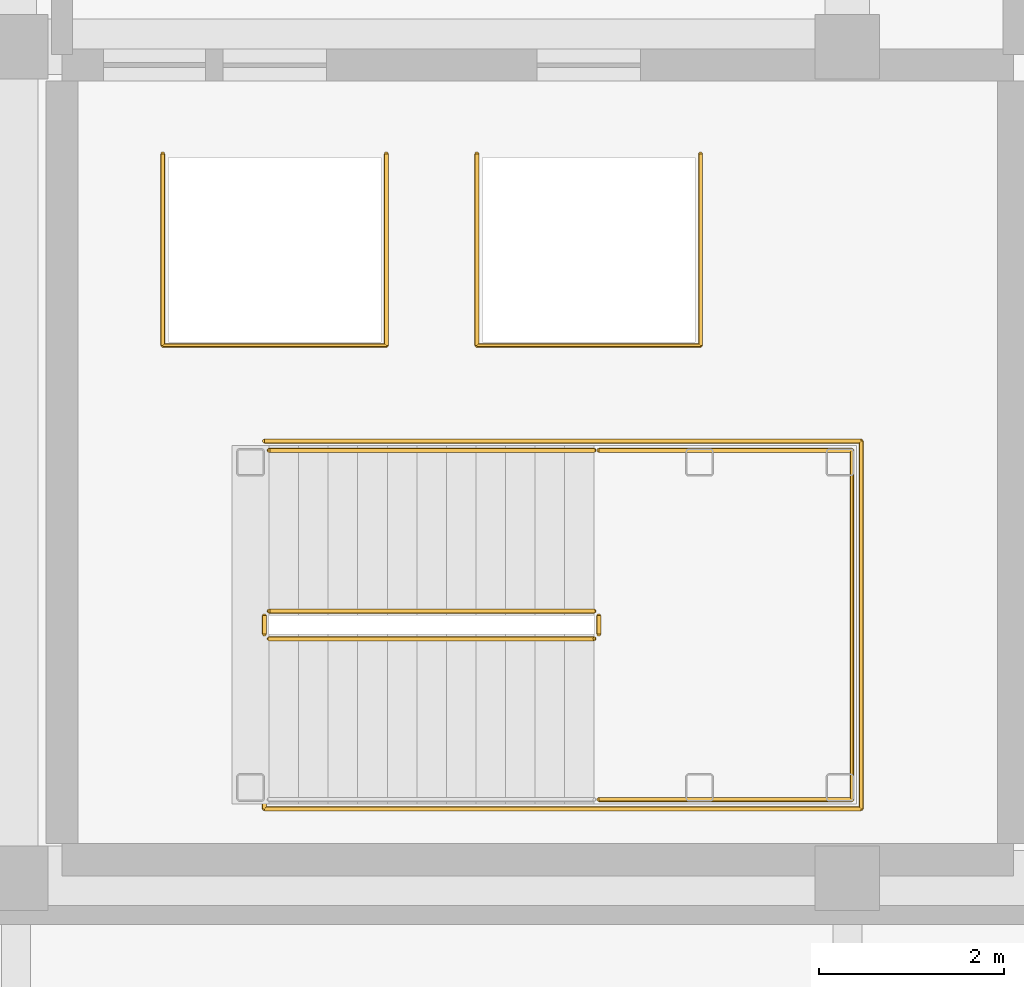
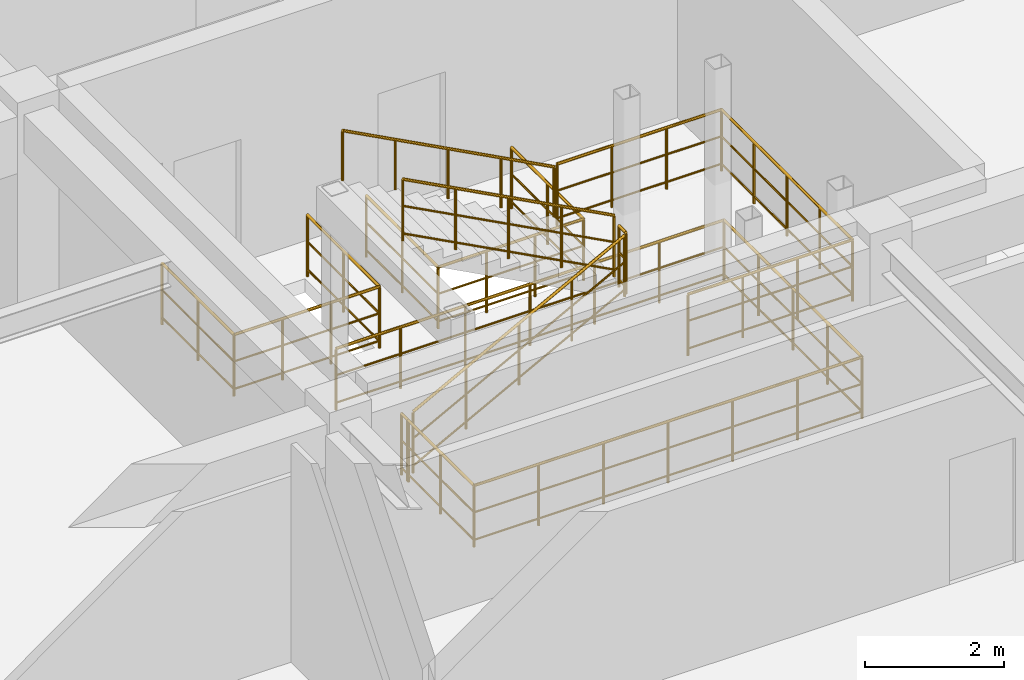
# One storey, part 104 of 110: 9 railings.
"""IFC4 building model written with IfcOpenShell, lengths in metres."""

import ifcopenshell
import ifcopenshell.guid

model = None  # the IFC model being written
_history = None  # IfcOwnerHistory: only IFC2X3 demands one
_inside = {}  # id of a spatial element -> (the spatial element, [elements in it])
_under = {}  # id of a project, library or spatial element -> (it, [spatial elements below it])
_declared = {}  # id of a project -> (the project, [libraries it declares])
_typed = {}  # id of a type object -> (the type object, [elements of that type])
_made_of = {}  # id of a material, layer set ... -> (it, [elements and type objects made of it])


def new_model(schema):
    """Start an empty IFC model of exactly this schema.

    Asked for "IFC4X3", IfcOpenShell would pick the latest addendum, in which some entities
    have other attributes; the version numbers below select the first issue.
    IFC2X3 requires an IfcOwnerHistory on every rooted entity: one is made here for all.
    """
    global model, _history
    if schema == "IFC4X3":
        model = ifcopenshell.file(schema_version=(4, 3, 0, 0))
    else:
        model = ifcopenshell.file(schema=schema)
    _inside.clear()
    _under.clear()
    _declared.clear()
    _typed.clear()
    _made_of.clear()
    _history = None
    if model.schema == "IFC2X3":
        org = make("IfcOrganization", Name="unknown")
        user = make(
            "IfcPersonAndOrganization",
            ThePerson=make("IfcPerson", FamilyName="unknown"),
            TheOrganization=org,
        )
        app = make(
            "IfcApplication",
            ApplicationDeveloper=org,
            Version="unknown",
            ApplicationFullName="unknown",
            ApplicationIdentifier="unknown",
        )
        _history = make(
            "IfcOwnerHistory",
            OwningUser=user,
            OwningApplication=app,
            ChangeAction="ADDED",
            CreationDate=0,
        )
    return model


def make(cls, **values):
    """One entity of the class cls with the attributes given. An attribute that is None is left unset."""
    return model.create_entity(
        cls, **{name: value for name, value in values.items() if value is not None}
    )


def rooted(cls, **values):
    """An entity with a GlobalId (a new one), such as an element, a storey or a relation."""
    return make(cls, GlobalId=ifcopenshell.guid.new(), OwnerHistory=_history, **values)


def si_unit(unit_type, name, prefix=None):
    """IfcSIUnit, for example si_unit("LENGTHUNIT", "METRE", prefix="MILLI")."""
    return make("IfcSIUnit", UnitType=unit_type, Prefix=prefix, Name=name)


def assignment(units):
    """IfcUnitAssignment: the units of a project."""
    return None if units is None else make("IfcUnitAssignment", Units=units)


def point(xyz):
    """IfcCartesianPoint."""
    return None if xyz is None else make("IfcCartesianPoint", Coordinates=xyz)


def direction(xyz):
    """IfcDirection."""
    return None if xyz is None else make("IfcDirection", DirectionRatios=xyz)


def frame(location, z_axis=None, x_axis=None):
    """IfcAxis2Placement3D, a coordinate frame: its origin and axes. An axis left out is left unset."""
    return make(
        "IfcAxis2Placement3D",
        Location=point(location),
        Axis=direction(z_axis),
        RefDirection=direction(x_axis),
    )


def frame_2d(location, x_axis=None):
    """IfcAxis2Placement2D, a coordinate frame in the plane: its origin and x axis."""
    return make(
        "IfcAxis2Placement2D", Location=point(location), RefDirection=direction(x_axis)
    )


def origin():
    """The frame at (0, 0, 0) with its axes left unset."""
    return frame((0.0, 0.0, 0.0))


def origin_2d():
    """The frame at (0, 0) in the plane with its x axis left unset."""
    return frame_2d((0.0, 0.0))


def place(relative_to, where):
    """IfcLocalPlacement: puts the frame where relative to a parent placement (None: the world)."""
    return make(
        "IfcLocalPlacement", PlacementRelTo=relative_to, RelativePlacement=where
    )


def context(
    kind, dimensions, precision=None, world=None, true_north=None, identifier=None
):
    """IfcGeometricRepresentationContext, for example the 3D "Model" context."""
    return make(
        "IfcGeometricRepresentationContext",
        ContextIdentifier=identifier,
        ContextType=kind,
        CoordinateSpaceDimension=dimensions,
        Precision=precision,
        WorldCoordinateSystem=world,
        TrueNorth=true_north,
    )


def subcontext(parent, identifier, kind, view, scale=None):
    """IfcGeometricRepresentationSubContext, for example "Body" below "Model"."""
    return make(
        "IfcGeometricRepresentationSubContext",
        ContextIdentifier=identifier,
        ContextType=kind,
        ParentContext=parent,
        TargetScale=scale,
        TargetView=view,
    )


def project(units=None, contexts=None):
    """IfcProject with its units and contexts."""
    return rooted(
        "IfcProject",
        Name="project",
        RepresentationContexts=contexts,
        UnitsInContext=assignment(units),
    )


def spatial(cls, under=None, at=None, **own):
    """A site, building, storey or space (cls), placed at a placement, below another one or the project."""
    s = rooted(cls, ObjectPlacement=at, **own)
    if under is not None:
        _under.setdefault(under.id(), (under, []))[1].append(s)
    return s


def profile(cls, at=None, kind="AREA", **sizes):
    """A parametric profile (cls). Its sizes go by their IFC names, for example OverallWidth=200.0."""
    return make(cls, ProfileType=kind, Position=at, **sizes)


def circle(**sizes):
    """IfcCircleProfileDef."""
    return profile("IfcCircleProfileDef", **sizes)


def extrude(swept, where, along, depth):
    """IfcExtrudedAreaSolid: the profile swept, set in the frame where, extruded along a direction by depth."""
    return make(
        "IfcExtrudedAreaSolid",
        SweptArea=swept,
        Position=where,
        ExtrudedDirection=direction(along),
        Depth=depth,
    )


def shape(context_of_items, identifier, shape_type, items):
    """IfcShapeRepresentation: the items that make up one representation, for example the "Body"."""
    return make(
        "IfcShapeRepresentation",
        ContextOfItems=context_of_items,
        RepresentationIdentifier=identifier,
        RepresentationType=shape_type,
        Items=items,
    )


def material(Name=None, Category=None):
    """IfcMaterial."""
    return make("IfcMaterial", Name=Name, Category=Category)


def made_of(thing, what):
    """Note that an element or type object is made of a material, layer set ...; save() writes the relation."""
    if what is not None:
        _made_of.setdefault(what.id(), (what, []))[1].append(thing)
    return thing


def type_object(cls, material=None, **own):
    """A type object (cls), such as IfcWallType, which elements share."""
    return made_of(rooted(cls, **own), material)


def element(
    cls,
    number,
    at=None,
    inside=None,
    cuts=None,
    type_object=None,
    material=None,
    context=None,
    identifier="Body",
    shape_type=None,
    held_by="IfcProductDefinitionShape",
    body=None,
    shapes=None,
    **own,
):
    """One element of the class cls, such as IfcWall. Its Tag is "e" and its number.

    at: its placement. inside: the storey or other place that contains it. cuts: it is an
    opening in that element (IfcRelVoidsElement). A single representation is given by context,
    identifier, shape_type and body (its items); several are given by shapes. held_by: the class
    of the entity that holds the representations. save() writes the other relations.
    """
    e = rooted(cls, Tag="e%d" % number, ObjectPlacement=at, **own)
    if body is not None:
        shapes = [shape(context, identifier, shape_type, body)]
    if shapes is not None:
        e.Representation = make(held_by, Representations=shapes)
    if inside is not None:
        _inside.setdefault(inside.id(), (inside, []))[1].append(e)
    if cuts is not None:
        rooted(
            "IfcRelVoidsElement", RelatingBuildingElement=cuts, RelatedOpeningElement=e
        )
    if type_object is not None:
        _typed.setdefault(type_object.id(), (type_object, []))[1].append(e)
    return made_of(e, material)


def aggregate(whole, parts):
    """IfcRelAggregates: a whole, such as a stair, and the parts it consists of."""
    return rooted("IfcRelAggregates", RelatingObject=whole, RelatedObjects=parts)


def save(model, path):
    """Write the relations noted so far, then the file.

    IfcRelAggregates (storeys below a building ...), IfcRelContainedInSpatialStructure (elements
    in a storey), IfcRelDefinesByType, IfcRelAssociatesMaterial and IfcRelDeclares: one each for
    every whole, place, type object, material and project.
    """
    for whole, parts in _under.values():
        aggregate(whole, parts)
    for where, things in _inside.values():
        rooted(
            "IfcRelContainedInSpatialStructure",
            RelatedElements=things,
            RelatingStructure=where,
        )
    for kind, things in _typed.values():
        rooted("IfcRelDefinesByType", RelatedObjects=things, RelatingType=kind)
    for what, things in _made_of.values():
        rooted("IfcRelAssociatesMaterial", RelatedObjects=things, RelatingMaterial=what)
    for by, libraries in _declared.values():
        rooted("IfcRelDeclares", RelatingContext=by, RelatedDefinitions=libraries)
    model.write(path)


model = new_model("IFC4")

# Units and contexts
model_context = context("Model", 3, precision=1e-05, world=origin(), true_north=direction((0.0, 1.0)))
body_context = subcontext(model_context, "Body", "Model", "MODEL_VIEW")
ifc_project = project(units=[si_unit("LENGTHUNIT", "METRE"), si_unit("AREAUNIT", "SQUARE_METRE"), si_unit("VOLUMEUNIT", "CUBIC_METRE"), si_unit("PLANEANGLEUNIT", "RADIAN"), si_unit("MASSUNIT", "GRAM", prefix="KILO")], contexts=[model_context])

# Site, building, storey
site_placement = place(None, origin())
site = spatial("IfcSite", under=ifc_project, at=site_placement, CompositionType="ELEMENT")
building_placement = place(site_placement, origin())
building = spatial("IfcBuilding", under=site, at=building_placement, Name="Miravela Opera House", CompositionType="ELEMENT")
storey_placement = place(building_placement, frame((0.0, 0.0, 13.60009765625)))
storey = spatial("IfcBuildingStorey", under=building, at=storey_placement, Name="L03", CompositionType="ELEMENT", Elevation=13.60009765625)

# Railings
ifc_material_1 = material(Name="Brushed bronze continuous stair handrail")
railing_type_1 = type_object("IfcRailingType", Name="ARC-RAIL-HAND-900", PredefinedType="HANDRAIL", material=ifc_material_1)
railing_1_placement = place(storey_placement, frame((51.260009765625, 41.6298828125, 2.2099609375)))
element("IfcRailing", 1, at=railing_1_placement, inside=storey, type_object=railing_type_1, Name="L03 ST-02 stair handrail 2", PredefinedType="HANDRAIL", context=body_context, shape_type="SweptSolid", body=[
    extrude(circle(Radius=0.02392578125, at=origin_2d()), frame((0.0, 0.0, 0.8759765625), z_axis=(-0.883129994055, 0.0, 0.469128355144), x_axis=(0.0, -1.0, 0.0)), (0.0, 0.0, 1.0), 3.98583984375),
    extrude(circle(Radius=0.02099609375, at=origin_2d()), origin(), (0.0, 0.0, 1.0), 0.851806640625),
    extrude(circle(Radius=0.02099609375, at=origin_2d()), frame((-0.8798828125, 0.0, 0.467529296875)), (0.0, 0.0, 1.0), 0.851806640625),
    extrude(circle(Radius=0.02099609375, at=origin_2d()), frame((-1.760009765625, 0.0, 0.93505859375)), (0.0, 0.0, 1.0), 0.851806640625),
    extrude(circle(Radius=0.02099609375, at=origin_2d()), frame((-2.64013671875, 0.0, 1.40234375)), (0.0, 0.0, 1.0), 0.851806640625),
    extrude(circle(Radius=0.02099609375, at=origin_2d()), frame((-3.52001953125, 0.0, 1.869873046875)), (0.0, 0.0, 1.0), 0.851806640625),
])
ifc_material_2 = material(Name="Painted wrought-iron stair guardrail")
railing_type_2 = type_object("IfcRailingType", Name="ARC-RAIL-STAIR-GUARD", PredefinedType="GUARDRAIL", material=ifc_material_2)
railing_2_placement = place(storey_placement, frame((47.739990234375, 39.590087890625, 0.169921875)))
element("IfcRailing", 2, at=railing_2_placement, inside=storey, type_object=railing_type_2, Name="L03 ST-02 stair guard 1", PredefinedType="GUARDRAIL", context=body_context, shape_type="SweptSolid", body=[
    extrude(circle(Radius=0.02392578125, at=origin_2d()), frame((0.0, 0.0, 1.076171875), z_axis=(0.883129994055, 0.0, 0.469128355144), x_axis=(0.0, 1.0, 0.0)), (0.0, 0.0, 1.0), 3.98583984375),
    extrude(circle(Radius=0.01611328125, at=origin_2d()), frame((0.0, 0.0, 0.60498046875), z_axis=(0.883129994055, 0.0, 0.469128355144), x_axis=(0.0, 1.0, 0.0)), (0.0, 0.0, 1.0), 3.98583984375),
    extrude(circle(Radius=0.01611328125, at=origin_2d()), frame((0.0, 0.0, 0.1201171875), z_axis=(0.883129994055, 0.0, 0.469128355144), x_axis=(0.0, 1.0, 0.0)), (0.0, 0.0, 1.0), 3.98583984375),
    extrude(circle(Radius=0.02099609375, at=origin_2d()), origin(), (0.0, 0.0, 1.0), 1.052001953125),
    extrude(circle(Radius=0.02099609375, at=origin_2d()), frame((0.8798828125, 0.0, 0.467529296875)), (0.0, 0.0, 1.0), 1.052001953125),
    extrude(circle(Radius=0.02099609375, at=origin_2d()), frame((1.760009765625, 0.0, 0.93505859375)), (0.0, 0.0, 1.0), 1.052001953125),
    extrude(circle(Radius=0.02099609375, at=origin_2d()), frame((2.64013671875, 0.0, 1.40234375)), (0.0, 0.0, 1.0), 1.052001953125),
    extrude(circle(Radius=0.02099609375, at=origin_2d()), frame((3.52001953125, 0.0, 1.869873046875)), (0.0, 0.0, 1.0), 1.052001953125),
])
railing_3_placement = place(storey_placement, frame((51.31005859375, 39.639892578125, 2.039794921875)))
element("IfcRailing", 3, at=railing_3_placement, inside=storey, type_object=railing_type_2, Name="L03 ST-02 stair guard 2", PredefinedType="GUARDRAIL", context=body_context, shape_type="SweptSolid", body=[
    extrude(circle(Radius=0.02392578125, at=origin_2d()), frame((0.0, 0.0, 1.076171875), z_axis=(0.0, 1.0, 0.0), x_axis=(-1.0, 0.0, 0.0)), (0.0, 0.0, 1.0), 0.2001953125),
    extrude(circle(Radius=0.01611328125, at=origin_2d()), frame((0.0, 0.0, 0.60498046875), z_axis=(0.0, 1.0, 0.0), x_axis=(-1.0, 0.0, 0.0)), (0.0, 0.0, 1.0), 0.2001953125),
    extrude(circle(Radius=0.01611328125, at=origin_2d()), frame((0.0, 0.0, 0.1201171875), z_axis=(0.0, 1.0, 0.0), x_axis=(-1.0, 0.0, 0.0)), (0.0, 0.0, 1.0), 0.2001953125),
    extrude(circle(Radius=0.02099609375, at=origin_2d()), origin(), (0.0, 0.0, 1.0), 1.052001953125),
    extrude(circle(Radius=0.02099609375, at=origin_2d()), frame((0.0, 0.2001953125, 0.0)), (0.0, 0.0, 1.0), 1.052001953125),
])
railing_4_placement = place(storey_placement, frame((51.260009765625, 39.889892578125, 2.2099609375)))
element("IfcRailing", 4, at=railing_4_placement, inside=storey, type_object=railing_type_2, Name="L03 ST-02 stair guard 3", PredefinedType="GUARDRAIL", context=body_context, shape_type="SweptSolid", body=[
    extrude(circle(Radius=0.02392578125, at=origin_2d()), frame((0.0, 0.0, 1.076171875), z_axis=(-0.883129994055, 0.0, 0.469128355144), x_axis=(0.0, -1.0, 0.0)), (0.0, 0.0, 1.0), 3.98583984375),
    extrude(circle(Radius=0.01611328125, at=origin_2d()), frame((0.0, 0.0, 0.60498046875), z_axis=(-0.883129994055, 0.0, 0.469128355144), x_axis=(0.0, -1.0, 0.0)), (0.0, 0.0, 1.0), 3.98583984375),
    extrude(circle(Radius=0.01611328125, at=origin_2d()), frame((0.0, 0.0, 0.1201171875), z_axis=(-0.883129994055, 0.0, 0.469128355144), x_axis=(0.0, -1.0, 0.0)), (0.0, 0.0, 1.0), 3.98583984375),
    extrude(circle(Radius=0.02099609375, at=origin_2d()), origin(), (0.0, 0.0, 1.0), 1.052001953125),
    extrude(circle(Radius=0.02099609375, at=origin_2d()), frame((-0.8798828125, 0.0, 0.467529296875)), (0.0, 0.0, 1.0), 1.052001953125),
    extrude(circle(Radius=0.02099609375, at=origin_2d()), frame((-1.760009765625, 0.0, 0.93505859375)), (0.0, 0.0, 1.0), 1.052001953125),
    extrude(circle(Radius=0.02099609375, at=origin_2d()), frame((-2.64013671875, 0.0, 1.40234375)), (0.0, 0.0, 1.0), 1.052001953125),
    extrude(circle(Radius=0.02099609375, at=origin_2d()), frame((-3.52001953125, 0.0, 1.869873046875)), (0.0, 0.0, 1.0), 1.052001953125),
])
railing_5_placement = place(storey_placement, frame((47.68994140625, 39.639892578125, 0.0)))
element("IfcRailing", 5, at=railing_5_placement, inside=storey, type_object=railing_type_2, Name="L03 ST-02 stair guard 4", PredefinedType="GUARDRAIL", context=body_context, shape_type="SweptSolid", body=[
    extrude(circle(Radius=0.02392578125, at=origin_2d()), frame((0.0, 0.0, 1.076171875), z_axis=(0.0, 1.0, 0.0), x_axis=(-1.0, 0.0, 0.0)), (0.0, 0.0, 1.0), 0.2001953125),
    extrude(circle(Radius=0.01611328125, at=origin_2d()), frame((0.0, 0.0, 0.60498046875), z_axis=(0.0, 1.0, 0.0), x_axis=(-1.0, 0.0, 0.0)), (0.0, 0.0, 1.0), 0.2001953125),
    extrude(circle(Radius=0.01611328125, at=origin_2d()), frame((0.0, 0.0, 0.1201171875), z_axis=(0.0, 1.0, 0.0), x_axis=(-1.0, 0.0, 0.0)), (0.0, 0.0, 1.0), 0.2001953125),
    extrude(circle(Radius=0.02099609375, at=origin_2d()), origin(), (0.0, 0.0, 1.0), 1.052001953125),
    extrude(circle(Radius=0.02099609375, at=origin_2d()), frame((0.0, 0.2001953125, 0.0)), (0.0, 0.0, 1.0), 1.052001953125),
])
railing_6_placement = place(storey_placement, frame((51.31005859375, 37.85009765625, 2.039794921875)))
element("IfcRailing", 6, at=railing_6_placement, inside=storey, type_object=railing_type_2, Name="Stair ST-02 Half-Landing Perimeter Guard (L03) 0017", PredefinedType="GUARDRAIL", context=body_context, shape_type="SweptSolid", body=[
    extrude(circle(Radius=0.02392578125, at=origin_2d()), frame((0.0, 0.0, 1.076171875), z_axis=(1.0, 0.0, 0.0), x_axis=(0.0, 1.0, 0.0)), (0.0, 0.0, 1.0), 2.739990234375),
    extrude(circle(Radius=0.01611328125, at=origin_2d()), frame((0.0, 0.0, 0.60498046875), z_axis=(1.0, 0.0, 0.0), x_axis=(0.0, 1.0, 0.0)), (0.0, 0.0, 1.0), 2.739990234375),
    extrude(circle(Radius=0.01611328125, at=origin_2d()), frame((0.0, 0.0, 0.1201171875), z_axis=(1.0, 0.0, 0.0), x_axis=(0.0, 1.0, 0.0)), (0.0, 0.0, 1.0), 2.739990234375),
    extrude(circle(Radius=0.02392578125, at=origin_2d()), frame((2.739990234375, 0.0, 1.076171875), z_axis=(0.0, 1.0, 0.0), x_axis=(-1.0, 0.0, 0.0)), (0.0, 0.0, 1.0), 3.77978515625),
    extrude(circle(Radius=0.01611328125, at=origin_2d()), frame((2.739990234375, 0.0, 0.60498046875), z_axis=(0.0, 1.0, 0.0), x_axis=(-1.0, 0.0, 0.0)), (0.0, 0.0, 1.0), 3.77978515625),
    extrude(circle(Radius=0.01611328125, at=origin_2d()), frame((2.739990234375, 0.0, 0.1201171875), z_axis=(0.0, 1.0, 0.0), x_axis=(-1.0, 0.0, 0.0)), (0.0, 0.0, 1.0), 3.77978515625),
    extrude(circle(Radius=0.02392578125, at=origin_2d()), frame((2.739990234375, 3.77978515625, 1.076171875), z_axis=(-1.0, 0.0, 0.0), x_axis=(0.0, -1.0, 0.0)), (0.0, 0.0, 1.0), 2.739990234375),
    extrude(circle(Radius=0.01611328125, at=origin_2d()), frame((2.739990234375, 3.77978515625, 0.60498046875), z_axis=(-1.0, 0.0, 0.0), x_axis=(0.0, -1.0, 0.0)), (0.0, 0.0, 1.0), 2.739990234375),
    extrude(circle(Radius=0.01611328125, at=origin_2d()), frame((2.739990234375, 3.77978515625, 0.1201171875), z_axis=(-1.0, 0.0, 0.0), x_axis=(0.0, -1.0, 0.0)), (0.0, 0.0, 1.0), 2.739990234375),
    extrude(circle(Radius=0.02099609375, at=origin_2d()), origin(), (0.0, 0.0, 1.0), 1.052001953125),
    extrude(circle(Radius=0.02099609375, at=origin_2d()), frame((0.913330078125, 0.0, 0.0)), (0.0, 0.0, 1.0), 1.052001953125),
    extrude(circle(Radius=0.02099609375, at=origin_2d()), frame((1.82666015625, 0.0, 0.0)), (0.0, 0.0, 1.0), 1.052001953125),
    extrude(circle(Radius=0.02099609375, at=origin_2d()), frame((2.739990234375, 0.0, 0.0)), (0.0, 0.0, 1.0), 1.052001953125),
    extrude(circle(Radius=0.02099609375, at=origin_2d()), frame((2.739990234375, 0.94482421875, 0.0)), (0.0, 0.0, 1.0), 1.052001953125),
    extrude(circle(Radius=0.02099609375, at=origin_2d()), frame((2.739990234375, 1.889892578125, 0.0)), (0.0, 0.0, 1.0), 1.052001953125),
    extrude(circle(Radius=0.02099609375, at=origin_2d()), frame((2.739990234375, 2.8349609375, 0.0)), (0.0, 0.0, 1.0), 1.052001953125),
    extrude(circle(Radius=0.02099609375, at=origin_2d()), frame((2.739990234375, 3.77978515625, 0.0)), (0.0, 0.0, 1.0), 1.052001953125),
    extrude(circle(Radius=0.02099609375, at=origin_2d()), frame((1.82666015625, 3.77978515625, 0.0)), (0.0, 0.0, 1.0), 1.052001953125),
    extrude(circle(Radius=0.02099609375, at=origin_2d()), frame((0.913330078125, 3.77978515625, 0.0)), (0.0, 0.0, 1.0), 1.052001953125),
    extrude(circle(Radius=0.02099609375, at=origin_2d()), frame((0.0, 3.77978515625, 0.0)), (0.0, 0.0, 1.0), 1.052001953125),
])
railing_7_placement = place(storey_placement, frame((47.68994140625, 39.669921875, 0.0)))
element("IfcRailing", 7, at=railing_7_placement, inside=storey, type_object=railing_type_2, Name="Stair ST-02 Well Slab Opening Guard (L03) 0022", PredefinedType="GUARDRAIL", context=body_context, shape_type="SweptSolid", body=[
    extrude(circle(Radius=0.02392578125, at=origin_2d()), frame((0.0, 0.0, 1.076171875), z_axis=(0.0, -1.0, 0.0), x_axis=(1.0, 0.0, 0.0)), (0.0, 0.0, 1.0), 1.919921875),
    extrude(circle(Radius=0.01611328125, at=origin_2d()), frame((0.0, 0.0, 0.60498046875), z_axis=(0.0, -1.0, 0.0), x_axis=(1.0, 0.0, 0.0)), (0.0, 0.0, 1.0), 1.919921875),
    extrude(circle(Radius=0.01611328125, at=origin_2d()), frame((0.0, 0.0, 0.1201171875), z_axis=(0.0, -1.0, 0.0), x_axis=(1.0, 0.0, 0.0)), (0.0, 0.0, 1.0), 1.919921875),
    extrude(circle(Radius=0.02392578125, at=origin_2d()), frame((0.0, -1.919921875, 1.076171875), z_axis=(1.0, 0.0, 0.0), x_axis=(0.0, 1.0, 0.0)), (0.0, 0.0, 1.0), 6.4599609375),
    extrude(circle(Radius=0.01611328125, at=origin_2d()), frame((0.0, -1.919921875, 0.60498046875), z_axis=(1.0, 0.0, 0.0), x_axis=(0.0, 1.0, 0.0)), (0.0, 0.0, 1.0), 6.4599609375),
    extrude(circle(Radius=0.01611328125, at=origin_2d()), frame((0.0, -1.919921875, 0.1201171875), z_axis=(1.0, 0.0, 0.0), x_axis=(0.0, 1.0, 0.0)), (0.0, 0.0, 1.0), 6.4599609375),
    extrude(circle(Radius=0.02392578125, at=origin_2d()), frame((6.4599609375, -1.919921875, 1.076171875), z_axis=(0.0, 1.0, 0.0), x_axis=(-1.0, 0.0, 0.0)), (0.0, 0.0, 1.0), 3.97998046875),
    extrude(circle(Radius=0.01611328125, at=origin_2d()), frame((6.4599609375, -1.919921875, 0.60498046875), z_axis=(0.0, 1.0, 0.0), x_axis=(-1.0, 0.0, 0.0)), (0.0, 0.0, 1.0), 3.97998046875),
    extrude(circle(Radius=0.01611328125, at=origin_2d()), frame((6.4599609375, -1.919921875, 0.1201171875), z_axis=(0.0, 1.0, 0.0), x_axis=(-1.0, 0.0, 0.0)), (0.0, 0.0, 1.0), 3.97998046875),
    extrude(circle(Radius=0.02392578125, at=origin_2d()), frame((6.4599609375, 2.06005859375, 1.076171875), z_axis=(-1.0, 0.0, 0.0), x_axis=(0.0, -1.0, 0.0)), (0.0, 0.0, 1.0), 6.4599609375),
    extrude(circle(Radius=0.01611328125, at=origin_2d()), frame((6.4599609375, 2.06005859375, 0.60498046875), z_axis=(-1.0, 0.0, 0.0), x_axis=(0.0, -1.0, 0.0)), (0.0, 0.0, 1.0), 6.4599609375),
    extrude(circle(Radius=0.01611328125, at=origin_2d()), frame((6.4599609375, 2.06005859375, 0.1201171875), z_axis=(-1.0, 0.0, 0.0), x_axis=(0.0, -1.0, 0.0)), (0.0, 0.0, 1.0), 6.4599609375),
    extrude(circle(Radius=0.02099609375, at=origin_2d()), origin(), (0.0, 0.0, 1.0), 1.052001953125),
    extrude(circle(Radius=0.02099609375, at=origin_2d()), frame((0.0, -0.9599609375, 0.0)), (0.0, 0.0, 1.0), 1.052001953125),
    extrude(circle(Radius=0.02099609375, at=origin_2d()), frame((0.0, -1.919921875, 0.0)), (0.0, 0.0, 1.0), 1.052001953125),
    extrude(circle(Radius=0.02099609375, at=origin_2d()), frame((1.07666015625, -1.919921875, 0.0)), (0.0, 0.0, 1.0), 1.052001953125),
    extrude(circle(Radius=0.02099609375, at=origin_2d()), frame((2.1533203125, -1.919921875, 0.0)), (0.0, 0.0, 1.0), 1.052001953125),
    extrude(circle(Radius=0.02099609375, at=origin_2d()), frame((3.22998046875, -1.919921875, 0.0)), (0.0, 0.0, 1.0), 1.052001953125),
    extrude(circle(Radius=0.02099609375, at=origin_2d()), frame((4.306640625, -1.919921875, 0.0)), (0.0, 0.0, 1.0), 1.052001953125),
    extrude(circle(Radius=0.02099609375, at=origin_2d()), frame((5.38330078125, -1.919921875, 0.0)), (0.0, 0.0, 1.0), 1.052001953125),
    extrude(circle(Radius=0.02099609375, at=origin_2d()), frame((6.4599609375, -1.919921875, 0.0)), (0.0, 0.0, 1.0), 1.052001953125),
    extrude(circle(Radius=0.02099609375, at=origin_2d()), frame((6.4599609375, -0.9248046875, 0.0)), (0.0, 0.0, 1.0), 1.052001953125),
    extrude(circle(Radius=0.02099609375, at=origin_2d()), frame((6.4599609375, 0.070068359375, 0.0)), (0.0, 0.0, 1.0), 1.052001953125),
    extrude(circle(Radius=0.02099609375, at=origin_2d()), frame((6.4599609375, 1.06494140625, 0.0)), (0.0, 0.0, 1.0), 1.052001953125),
    extrude(circle(Radius=0.02099609375, at=origin_2d()), frame((6.4599609375, 2.06005859375, 0.0)), (0.0, 0.0, 1.0), 1.052001953125),
    extrude(circle(Radius=0.02099609375, at=origin_2d()), frame((5.38330078125, 2.06005859375, 0.0)), (0.0, 0.0, 1.0), 1.052001953125),
    extrude(circle(Radius=0.02099609375, at=origin_2d()), frame((4.306640625, 2.06005859375, 0.0)), (0.0, 0.0, 1.0), 1.052001953125),
    extrude(circle(Radius=0.02099609375, at=origin_2d()), frame((3.22998046875, 2.06005859375, 0.0)), (0.0, 0.0, 1.0), 1.052001953125),
    extrude(circle(Radius=0.02099609375, at=origin_2d()), frame((2.1533203125, 2.06005859375, 0.0)), (0.0, 0.0, 1.0), 1.052001953125),
    extrude(circle(Radius=0.02099609375, at=origin_2d()), frame((1.07666015625, 2.06005859375, 0.0)), (0.0, 0.0, 1.0), 1.052001953125),
    extrude(circle(Radius=0.02099609375, at=origin_2d()), frame((0.0, 2.06005859375, 0.0)), (0.0, 0.0, 1.0), 1.052001953125),
])
railing_8_placement = place(storey_placement, frame((46.590087890625, 44.840087890625, 0.0)))
element("IfcRailing", 8, at=railing_8_placement, inside=storey, type_object=railing_type_2, Name="Lift PL-02 Hoistway Slab Opening Guard (L03) 0108", PredefinedType="GUARDRAIL", context=body_context, shape_type="SweptSolid", body=[
    extrude(circle(Radius=0.02392578125, at=origin_2d()), frame((0.0, 0.0, 1.076171875), z_axis=(0.0, -1.0, 0.0), x_axis=(1.0, 0.0, 0.0)), (0.0, 0.0, 1.0), 2.0751953125),
    extrude(circle(Radius=0.01611328125, at=origin_2d()), frame((0.0, 0.0, 0.60498046875), z_axis=(0.0, -1.0, 0.0), x_axis=(1.0, 0.0, 0.0)), (0.0, 0.0, 1.0), 2.0751953125),
    extrude(circle(Radius=0.01611328125, at=origin_2d()), frame((0.0, 0.0, 0.1201171875), z_axis=(0.0, -1.0, 0.0), x_axis=(1.0, 0.0, 0.0)), (0.0, 0.0, 1.0), 2.0751953125),
    extrude(circle(Radius=0.02392578125, at=origin_2d()), frame((0.0, -2.0751953125, 1.076171875), z_axis=(1.0, 0.0, 0.0), x_axis=(0.0, 1.0, 0.0)), (0.0, 0.0, 1.0), 2.419921875),
    extrude(circle(Radius=0.01611328125, at=origin_2d()), frame((0.0, -2.0751953125, 0.60498046875), z_axis=(1.0, 0.0, 0.0), x_axis=(0.0, 1.0, 0.0)), (0.0, 0.0, 1.0), 2.419921875),
    extrude(circle(Radius=0.01611328125, at=origin_2d()), frame((0.0, -2.0751953125, 0.1201171875), z_axis=(1.0, 0.0, 0.0), x_axis=(0.0, 1.0, 0.0)), (0.0, 0.0, 1.0), 2.419921875),
    extrude(circle(Radius=0.02392578125, at=origin_2d()), frame((2.419921875, -2.0751953125, 1.076171875), z_axis=(0.0, 1.0, 0.0), x_axis=(-1.0, 0.0, 0.0)), (0.0, 0.0, 1.0), 2.0751953125),
    extrude(circle(Radius=0.01611328125, at=origin_2d()), frame((2.419921875, -2.0751953125, 0.60498046875), z_axis=(0.0, 1.0, 0.0), x_axis=(-1.0, 0.0, 0.0)), (0.0, 0.0, 1.0), 2.0751953125),
    extrude(circle(Radius=0.01611328125, at=origin_2d()), frame((2.419921875, -2.0751953125, 0.1201171875), z_axis=(0.0, 1.0, 0.0), x_axis=(-1.0, 0.0, 0.0)), (0.0, 0.0, 1.0), 2.0751953125),
    extrude(circle(Radius=0.02099609375, at=origin_2d()), origin(), (0.0, 0.0, 1.0), 1.052001953125),
    extrude(circle(Radius=0.02099609375, at=origin_2d()), frame((0.0, -1.03759765625, 0.0)), (0.0, 0.0, 1.0), 1.052001953125),
    extrude(circle(Radius=0.02099609375, at=origin_2d()), frame((0.0, -2.0751953125, 0.0)), (0.0, 0.0, 1.0), 1.052001953125),
    extrude(circle(Radius=0.02099609375, at=origin_2d()), frame((0.806640625, -2.0751953125, 0.0)), (0.0, 0.0, 1.0), 1.052001953125),
    extrude(circle(Radius=0.02099609375, at=origin_2d()), frame((1.61328125, -2.0751953125, 0.0)), (0.0, 0.0, 1.0), 1.052001953125),
    extrude(circle(Radius=0.02099609375, at=origin_2d()), frame((2.419921875, -2.0751953125, 0.0)), (0.0, 0.0, 1.0), 1.052001953125),
    extrude(circle(Radius=0.02099609375, at=origin_2d()), frame((2.419921875, -1.03759765625, 0.0)), (0.0, 0.0, 1.0), 1.052001953125),
    extrude(circle(Radius=0.02099609375, at=origin_2d()), frame((2.419921875, 0.0, 0.0)), (0.0, 0.0, 1.0), 1.052001953125),
])
railing_9_placement = place(storey_placement, frame((49.989990234375, 44.840087890625, 0.0)))
element("IfcRailing", 9, at=railing_9_placement, inside=storey, type_object=railing_type_2, Name="Lift PL-03 Hoistway Slab Opening Guard (L03) 0114", PredefinedType="GUARDRAIL", context=body_context, shape_type="SweptSolid", body=[
    extrude(circle(Radius=0.02392578125, at=origin_2d()), frame((0.0, 0.0, 1.076171875), z_axis=(0.0, -1.0, 0.0), x_axis=(1.0, 0.0, 0.0)), (0.0, 0.0, 1.0), 2.0751953125),
    extrude(circle(Radius=0.01611328125, at=origin_2d()), frame((0.0, 0.0, 0.60498046875), z_axis=(0.0, -1.0, 0.0), x_axis=(1.0, 0.0, 0.0)), (0.0, 0.0, 1.0), 2.0751953125),
    extrude(circle(Radius=0.01611328125, at=origin_2d()), frame((0.0, 0.0, 0.1201171875), z_axis=(0.0, -1.0, 0.0), x_axis=(1.0, 0.0, 0.0)), (0.0, 0.0, 1.0), 2.0751953125),
    extrude(circle(Radius=0.02392578125, at=origin_2d()), frame((0.0, -2.0751953125, 1.076171875), z_axis=(1.0, 0.0, 0.0), x_axis=(0.0, 1.0, 0.0)), (0.0, 0.0, 1.0), 2.419921875),
    extrude(circle(Radius=0.01611328125, at=origin_2d()), frame((0.0, -2.0751953125, 0.60498046875), z_axis=(1.0, 0.0, 0.0), x_axis=(0.0, 1.0, 0.0)), (0.0, 0.0, 1.0), 2.419921875),
    extrude(circle(Radius=0.01611328125, at=origin_2d()), frame((0.0, -2.0751953125, 0.1201171875), z_axis=(1.0, 0.0, 0.0), x_axis=(0.0, 1.0, 0.0)), (0.0, 0.0, 1.0), 2.419921875),
    extrude(circle(Radius=0.02392578125, at=origin_2d()), frame((2.419921875, -2.0751953125, 1.076171875), z_axis=(0.0, 1.0, 0.0), x_axis=(-1.0, 0.0, 0.0)), (0.0, 0.0, 1.0), 2.0751953125),
    extrude(circle(Radius=0.01611328125, at=origin_2d()), frame((2.419921875, -2.0751953125, 0.60498046875), z_axis=(0.0, 1.0, 0.0), x_axis=(-1.0, 0.0, 0.0)), (0.0, 0.0, 1.0), 2.0751953125),
    extrude(circle(Radius=0.01611328125, at=origin_2d()), frame((2.419921875, -2.0751953125, 0.1201171875), z_axis=(0.0, 1.0, 0.0), x_axis=(-1.0, 0.0, 0.0)), (0.0, 0.0, 1.0), 2.0751953125),
    extrude(circle(Radius=0.02099609375, at=origin_2d()), origin(), (0.0, 0.0, 1.0), 1.052001953125),
    extrude(circle(Radius=0.02099609375, at=origin_2d()), frame((0.0, -1.03759765625, 0.0)), (0.0, 0.0, 1.0), 1.052001953125),
    extrude(circle(Radius=0.02099609375, at=origin_2d()), frame((0.0, -2.0751953125, 0.0)), (0.0, 0.0, 1.0), 1.052001953125),
    extrude(circle(Radius=0.02099609375, at=origin_2d()), frame((0.806640625, -2.0751953125, 0.0)), (0.0, 0.0, 1.0), 1.052001953125),
    extrude(circle(Radius=0.02099609375, at=origin_2d()), frame((1.61328125, -2.0751953125, 0.0)), (0.0, 0.0, 1.0), 1.052001953125),
    extrude(circle(Radius=0.02099609375, at=origin_2d()), frame((2.419921875, -2.0751953125, 0.0)), (0.0, 0.0, 1.0), 1.052001953125),
    extrude(circle(Radius=0.02099609375, at=origin_2d()), frame((2.419921875, -1.03759765625, 0.0)), (0.0, 0.0, 1.0), 1.052001953125),
    extrude(circle(Radius=0.02099609375, at=origin_2d()), frame((2.419921875, 0.0, 0.0)), (0.0, 0.0, 1.0), 1.052001953125),
])

save(model, "model.ifc")
